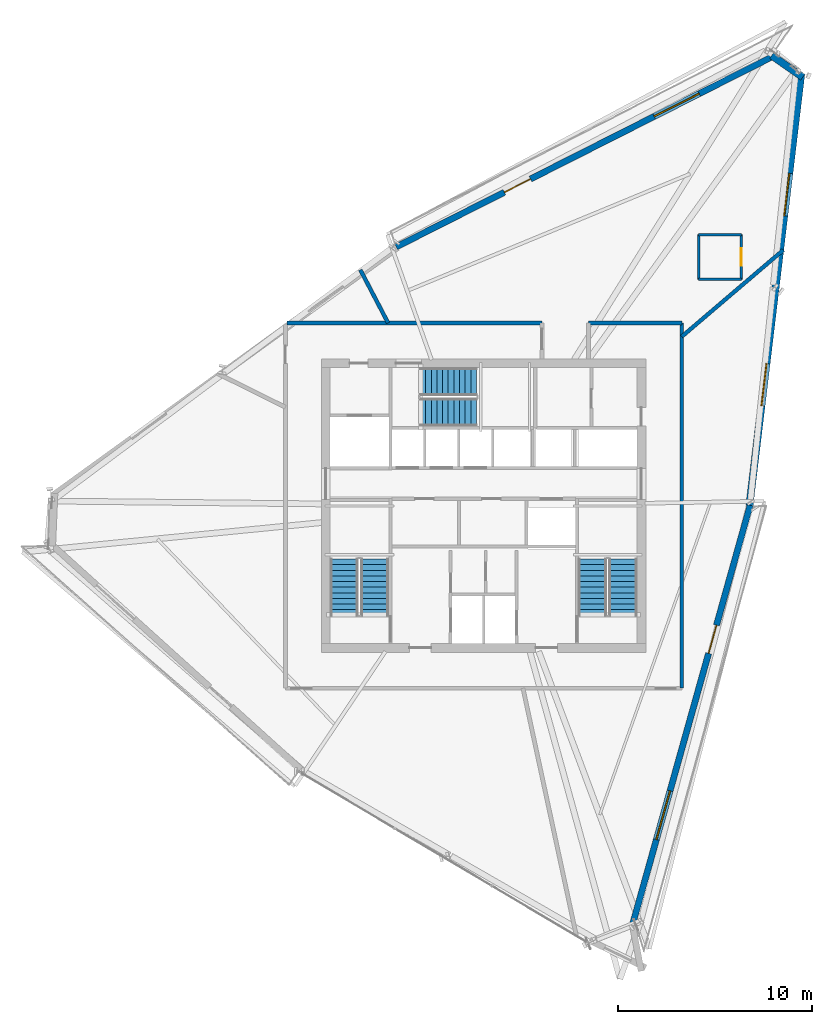
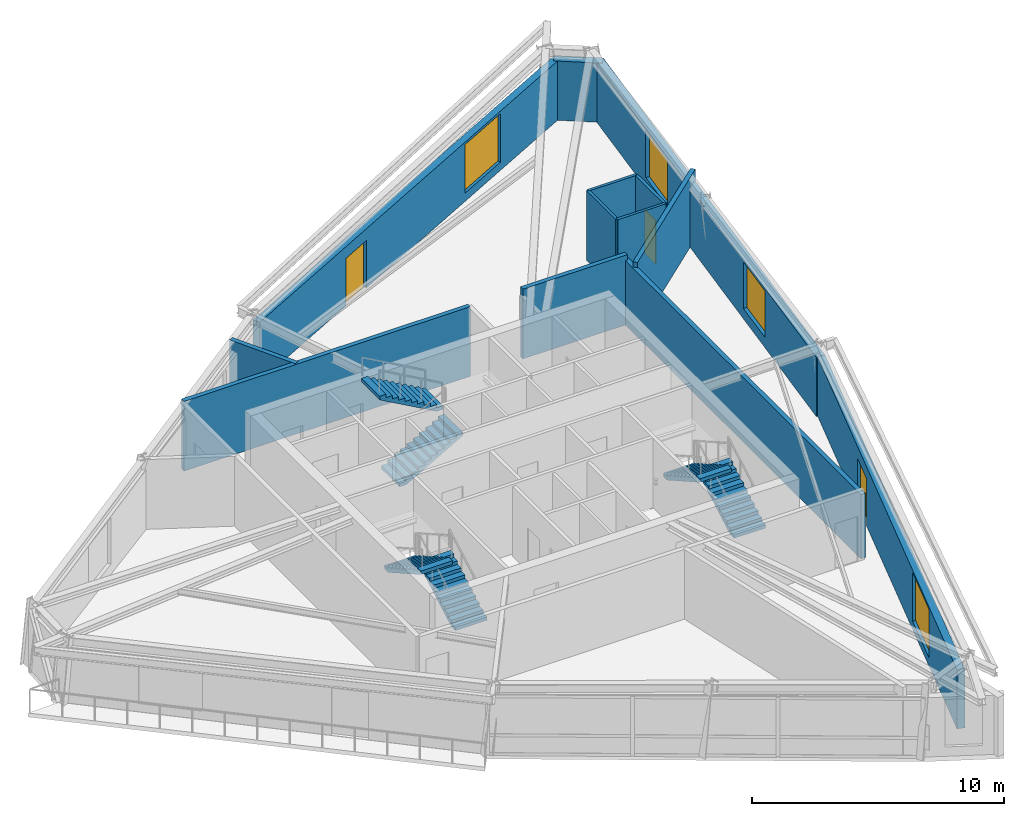
# One storey, part 11 of 14: 13 walls, 6 stair flights, 4 windows, 3 doors, 7 openings, 3 elements without a shape of their own.
"""IFC4 building model written with IfcOpenShell, lengths in metres."""

from ifc_helpers import new_model, si_unit, direction, frame, frame_2d, origin, place, context, subcontext, project, spatial, polyline, rectangle, outline, extrude, source, transform, mapped, material, layer, layer_set, type_object, type_shapes, element, fill, aggregate, save


model = new_model("IFC4")

# Units and contexts
model_context = context("Model", 3, precision=1e-05, world=origin(), true_north=direction((0.0, 1.0)))
body_context = subcontext(model_context, "Body", "Model", "MODEL_VIEW")
ifc_project = project(units=[si_unit("LENGTHUNIT", "METRE"), si_unit("AREAUNIT", "SQUARE_METRE"), si_unit("VOLUMEUNIT", "CUBIC_METRE"), si_unit("PLANEANGLEUNIT", "RADIAN"), si_unit("MASSUNIT", "GRAM", prefix="KILO")], contexts=[model_context])

# Site, building, storey
site_placement = place(None, origin())
site = spatial("IfcSite", under=ifc_project, at=site_placement, CompositionType="ELEMENT")
building_placement = place(site_placement, origin())
building = spatial("IfcBuilding", under=site, at=building_placement, Name="Olszyna Solenne Hotel", CompositionType="ELEMENT")
storey_placement = place(building_placement, frame((0.0, 0.0, 259.699951171875)))
storey = spatial("IfcBuildingStorey", under=building, at=storey_placement, Name="L69", CompositionType="ELEMENT", Elevation=259.699951171875)

# Wall, openings, door, window
ifc_material_1 = material(Name="Precast concrete C45/55", Category="concrete")
ifc_layer_1 = layer(ifc_material_1, 0.320068359375, Name="Precast concrete C45/55")
ifc_layer_set_1 = layer_set([ifc_layer_1], Name="Precast concrete C45/55")
wall_type_1 = type_object("IfcWallType", Name="WL-EX320", PredefinedType="SOLIDWALL", material=ifc_layer_set_1)
wall_1_placement = place(storey_placement, frame((51.72021484375, 26.618408203125, 0.0), z_axis=(0.0, 0.0, 1.0), x_axis=(-0.270053350252, -0.962845360386, 0.0)))
wall_1 = element("IfcWall", 1, at=wall_1_placement, inside=storey, type_object=wall_type_1, Name="Exterior terracotta-precast frame wall WL-EX320 EW-L69-01", PredefinedType="SOLIDWALL", context=body_context, shape_type="SweptSolid", body=[
    extrude(rectangle(XDim=22.390625, YDim=0.320068359375, at=frame_2d((11.1953125, 0.0))), origin(), (0.0, 0.0, 1.0), 2.8720703125),
])
opening_1_placement = place(wall_1_placement, frame((6.4150390625, 0.0, 0.0)))
opening_1 = element("IfcOpeningElement", 2, at=opening_1_placement, cuts=wall_1, Name="Opening LDG-L69-3", PredefinedType="OPENING", context=body_context, shape_type="SweptSolid", body=[
    extrude(rectangle(XDim=1.5, YDim=2.300048828125, at=frame_2d((0.75, 1.14990234375))), frame((0.0, 0.169921875, 0.0), z_axis=(0.0, -1.0, 0.0), x_axis=(1.0, 0.0, 0.0)), (0.0, 0.0, 1.0), 0.340087890625),
])
opening_2_placement = place(wall_1_placement, frame((15.26904296875, 0.0, 0.402099609375)))
opening_2 = element("IfcOpeningElement", 3, at=opening_2_placement, cuts=wall_1, Name="Opening WN-L69-456", PredefinedType="OPENING", context=body_context, shape_type="SweptSolid", body=[
    extrude(rectangle(XDim=2.60009765625, YDim=2.35009765625, at=frame_2d((1.300048828125, 1.175048828125))), frame((0.0, 0.169921875, 0.0), z_axis=(0.0, -1.0, 0.0), x_axis=(1.0, 0.0, 0.0)), (0.0, 0.0, 1.0), 0.340087890625),
])
ifc_material_2 = material(Name="Anodised bronze aluminium", Category="aluminium")
door_type_1 = type_object("IfcDoorType", Name="DR-LG2", OperationType="DOUBLE_DOOR_SINGLE_SWING", PredefinedType="DOOR", material=ifc_material_2)
shared_shape_1 = source(origin(), body_context, "Body", "SweptSolid", [
    extrude(rectangle(XDim=1.5, YDim=2.300048828125, at=frame_2d((0.75, 1.14990234375))), frame((0.0, 0.02490234375, 0.0), z_axis=(0.0, -1.0, 0.0), x_axis=(1.0, 0.0, 0.0)), (0.0, 0.0, 1.0), 0.050048828125),
])
type_shapes(door_type_1, [shared_shape_1])
door_1_placement = place(opening_1_placement, origin())
door_1 = element("IfcDoor", 4, at=door_1_placement, inside=storey, type_object=door_type_1, Name="Exterior loggia balcony door DR-LG2 LDG-L69-3", OperationType="DOUBLE_DOOR_SINGLE_SWING", OverallHeight=2.300048828125, OverallWidth=1.5, PredefinedType="DOOR", context=body_context, shape_type="MappedRepresentation", body=[
    mapped(shared_shape_1, transform((0.0, 0.0, 0.0), x_axis=(1.0, 0.0, 0.0), y_axis=(0.0, 1.0, 0.0), z_axis=(0.0, 0.0, 1.0), scale=1.0)),
])
fill(opening_1, door_1)
ifc_material_3 = material(Name="Low-E triple glazing", Category="glass")
window_type_1 = type_object("IfcWindowType", Name="WN-ST1", PartitioningType="SINGLE_PANEL", PredefinedType="WINDOW", material=ifc_material_3)
shared_shape_2 = source(origin(), body_context, "Body", "SweptSolid", [
    extrude(rectangle(XDim=2.60009765625, YDim=2.35009765625, at=frame_2d((1.300048828125, 1.175048828125))), frame((0.0, 0.030029296875, 0.0), z_axis=(0.0, -1.0, 0.0), x_axis=(1.0, 0.0, 0.0)), (0.0, 0.0, 1.0), 0.06005859375),
])
type_shapes(window_type_1, [shared_shape_2])
window_1_placement = place(opening_2_placement, origin())
window_1 = element("IfcWindow", 5, at=window_1_placement, inside=storey, type_object=window_type_1, Name="Loggia room window WN-ST1 WN-L69-456", OverallHeight=2.35009765625, OverallWidth=2.60009765625, PartitioningType="SINGLE_PANEL", PredefinedType="WINDOW", context=body_context, shape_type="MappedRepresentation", body=[
    mapped(shared_shape_2, transform((0.0, 0.0, 0.0), x_axis=(1.0, 0.0, 0.0), y_axis=(0.0, 1.0, 0.0), z_axis=(0.0, 0.0, 1.0), scale=1.0)),
])
fill(opening_2, window_1)

wall_2_placement = place(storey_placement, frame((33.498046875, 39.912353515625, 0.0), z_axis=(0.0, 0.0, 1.0), x_axis=(0.892343104724, 0.451357711192, 0.0)))
wall_2 = element("IfcWall", 6, at=wall_2_placement, inside=storey, type_object=wall_type_1, Name="Exterior terracotta-precast frame wall WL-EX320 EW-L69-08", PredefinedType="SOLIDWALL", context=body_context, shape_type="SweptSolid", body=[
    extrude(rectangle(XDim=21.866455078125, YDim=0.320068359375, at=frame_2d((10.93310546875, 0.0))), origin(), (0.0, 0.0, 1.0), 2.8720703125),
])
opening_3_placement = place(wall_2_placement, frame((6.2470703125, 0.0, 0.0)))
opening_3 = element("IfcOpeningElement", 7, at=opening_3_placement, cuts=wall_2, Name="Opening LDG-L69-1", PredefinedType="OPENING", context=body_context, shape_type="SweptSolid", body=[
    extrude(rectangle(XDim=1.5, YDim=2.300048828125, at=frame_2d((0.75, 1.14990234375))), frame((0.0, 0.169921875, 0.0), z_axis=(0.0, -1.0, 0.0), x_axis=(1.0, 0.0, 0.0)), (0.0, 0.0, 1.0), 0.340087890625),
])
opening_4_placement = place(wall_2_placement, frame((14.881103515625, 0.0, 0.402099609375)))
opening_4 = element("IfcOpeningElement", 8, at=opening_4_placement, cuts=wall_2, Name="Opening WN-L69-461", PredefinedType="OPENING", context=body_context, shape_type="SweptSolid", body=[
    extrude(rectangle(XDim=2.60009765625, YDim=2.35009765625, at=frame_2d((1.300048828125, 1.175048828125))), frame((0.0, 0.169921875, 0.0), z_axis=(0.0, -1.0, 0.0), x_axis=(1.0, 0.0, 0.0)), (0.0, 0.0, 1.0), 0.340087890625),
])
door_2_placement = place(opening_3_placement, origin())
door_2 = element("IfcDoor", 9, at=door_2_placement, inside=storey, type_object=door_type_1, Name="Exterior loggia balcony door DR-LG2 LDG-L69-1", OperationType="DOUBLE_DOOR_SINGLE_SWING", OverallHeight=2.300048828125, OverallWidth=1.5, PredefinedType="DOOR", context=body_context, shape_type="MappedRepresentation", body=[
    mapped(shared_shape_1, transform((0.0, 0.0, 0.0), x_axis=(1.0, 0.0, 0.0), y_axis=(0.0, 1.0, 0.0), z_axis=(0.0, 0.0, 1.0), scale=1.0)),
])
fill(opening_3, door_2)
window_2_placement = place(opening_4_placement, origin())
window_2 = element("IfcWindow", 10, at=window_2_placement, inside=storey, type_object=window_type_1, Name="Loggia room window WN-ST1 WN-L69-461", OverallHeight=2.35009765625, OverallWidth=2.60009765625, PartitioningType="SINGLE_PANEL", PredefinedType="WINDOW", context=body_context, shape_type="MappedRepresentation", body=[
    mapped(shared_shape_2, transform((0.0, 0.0, 0.0), x_axis=(1.0, 0.0, 0.0), y_axis=(0.0, 1.0, 0.0), z_axis=(0.0, 0.0, 1.0), scale=1.0)),
])
fill(opening_4, window_2)

# Wall
ifc_material_4 = material(Name="Terracotta cladding on precast concrete C45/55", Category="masonry")
ifc_layer_2 = layer(ifc_material_4, 0.3798828125, Name="Terracotta cladding on precast concrete C45/55")
ifc_layer_set_2 = layer_set([ifc_layer_2], Name="Terracotta cladding on precast concrete C45/55")
wall_type_2 = type_object("IfcWallType", Name="WL-EX380", PredefinedType="SOLIDWALL", material=ifc_layer_set_2)
wall_3_placement = place(storey_placement, frame((52.82958984375, 49.769287109375, 0.0), z_axis=(0.0, 0.0, 1.0), x_axis=(0.819631236398, -0.572891469932, 0.0)))
element("IfcWall", 11, at=wall_3_placement, inside=storey, type_object=wall_type_2, Name="Exterior terracotta-precast frame wall WL-EX380 EW-L69-09", PredefinedType="SOLIDWALL", context=body_context, shape_type="SweptSolid", body=[
    extrude(rectangle(XDim=1.9521484375, YDim=0.3798828125, at=frame_2d((0.97607421875, 0.0))), origin(), (0.0, 0.0, 1.0), 2.8720703125),
])

# Wall, openings, windows
wall_4_placement = place(storey_placement, frame((54.349853515625, 48.8291015625, 0.0), z_axis=(0.0, 0.0, 1.0), x_axis=(-0.118981834581, -0.992896431175, 0.0)))
wall_4 = element("IfcWall", 12, at=wall_4_placement, inside=storey, type_object=wall_type_2, Name="Exterior terracotta-precast frame wall WL-EX380 EW-L69-10", PredefinedType="SOLIDWALL", context=body_context, shape_type="SweptSolid", body=[
    extrude(rectangle(XDim=22.390380859375, YDim=0.3798828125, at=frame_2d((11.1953125, 0.0))), origin(), (0.0, 0.0, 1.0), 2.8720703125),
])
opening_5_placement = place(wall_4_placement, frame((5.1689453125, 0.0, 0.501953125)))
opening_5 = element("IfcOpeningElement", 13, at=opening_5_placement, cuts=wall_4, Name="Opening WN-L69-462", PredefinedType="OPENING", context=body_context, shape_type="SweptSolid", body=[
    extrude(rectangle(XDim=2.199951171875, YDim=2.25, at=frame_2d((1.10009765625, 1.125))), frame((0.0, 0.199951171875, 0.0), z_axis=(0.0, -1.0, 0.0), x_axis=(1.0, 0.0, 0.0)), (0.0, 0.0, 1.0), 0.39990234375),
])
opening_6_placement = place(wall_4_placement, frame((15.02099609375, 0.0, 0.501953125)))
opening_6 = element("IfcOpeningElement", 14, at=opening_6_placement, cuts=wall_4, Name="Opening WN-L69-463", PredefinedType="OPENING", context=body_context, shape_type="SweptSolid", body=[
    extrude(rectangle(XDim=2.199951171875, YDim=2.25, at=frame_2d((1.10009765625, 1.125))), frame((0.0, 0.199951171875, 0.0), z_axis=(0.0, -1.0, 0.0), x_axis=(1.0, 0.0, 0.0)), (0.0, 0.0, 1.0), 0.39990234375),
])
window_type_2 = type_object("IfcWindowType", Name="WN-HT2", PartitioningType="SINGLE_PANEL", PredefinedType="WINDOW", material=ifc_material_3)
shared_shape_3 = source(origin(), body_context, "Body", "SweptSolid", [
    extrude(rectangle(XDim=2.199951171875, YDim=2.25, at=frame_2d((1.10009765625, 1.125))), frame((0.0, 0.030029296875, 0.0), z_axis=(0.0, -1.0, 0.0), x_axis=(1.0, 0.0, 0.0)), (0.0, 0.0, 1.0), 0.06005859375),
])
type_shapes(window_type_2, [shared_shape_3])
window_3_placement = place(opening_5_placement, origin())
window_3 = element("IfcWindow", 15, at=window_3_placement, inside=storey, type_object=window_type_2, Name="Exterior facade window WN-HT2 WN-L69-462", OverallHeight=2.25, OverallWidth=2.199951171875, PartitioningType="SINGLE_PANEL", PredefinedType="WINDOW", context=body_context, shape_type="MappedRepresentation", body=[
    mapped(shared_shape_3, transform((0.0, 0.0, 0.0), x_axis=(1.0, 0.0, 0.0), y_axis=(0.0, 1.0, 0.0), z_axis=(0.0, 0.0, 1.0), scale=1.0)),
])
fill(opening_5, window_3)
window_4_placement = place(opening_6_placement, origin())
window_4 = element("IfcWindow", 16, at=window_4_placement, inside=storey, type_object=window_type_2, Name="Exterior facade window WN-HT2 WN-L69-463", OverallHeight=2.25, OverallWidth=2.199951171875, PartitioningType="SINGLE_PANEL", PredefinedType="WINDOW", context=body_context, shape_type="MappedRepresentation", body=[
    mapped(shared_shape_3, transform((0.0, 0.0, 0.0), x_axis=(1.0, 0.0, 0.0), y_axis=(0.0, 1.0, 0.0), z_axis=(0.0, 0.0, 1.0), scale=1.0)),
])
fill(opening_6, window_4)

# Wall, opening, door
ifc_material_5 = material(Name="Acoustic gypsum partition", Category="gypsum")
ifc_layer_3 = layer(ifc_material_5, 0.125, Name="Acoustic gypsum partition")
ifc_layer_set_3 = layer_set([ifc_layer_3], Name="Acoustic gypsum partition")
wall_type_3 = type_object("IfcWallType", Name="WL-PT125", PredefinedType="PARTITIONING", material=ifc_layer_set_3)
wall_5_placement = place(storey_placement, frame((51.26708984375, 38.242919921875, 0.0), z_axis=(0.0, 0.0, 1.0), x_axis=(0.0, 1.0, 0.0)))
wall_5 = element("IfcWall", 17, at=wall_5_placement, inside=storey, type_object=wall_type_3, Name="Interior acoustic partition WL-PT125 PW-L69-3834", PredefinedType="PARTITIONING", context=body_context, shape_type="SweptSolid", body=[
    extrude(rectangle(XDim=2.300048828125, YDim=0.125, at=frame_2d((1.14990234375, 0.0))), origin(), (0.0, 0.0, 1.0), 3.380126953125),
])
opening_7_placement = place(wall_5_placement, frame((0.699951171875, 0.0, 0.0)))
opening_7 = element("IfcOpeningElement", 18, at=opening_7_placement, cuts=wall_5, Name="Opening DR-L69-0933", PredefinedType="OPENING", context=body_context, shape_type="SweptSolid", body=[
    extrude(rectangle(XDim=0.89990234375, YDim=2.10009765625, at=frame_2d((0.449951171875, 1.050048828125))), frame((0.0, 0.072509765625, 0.0), z_axis=(0.0, -1.0, 0.0), x_axis=(1.0, 0.0, 0.0)), (0.0, 0.0, 1.0), 0.14501953125),
])
ifc_material_6 = material(Name="Timber hardwood", Category="wood")
door_type_2 = type_object("IfcDoorType", Name="DR-WC1", OperationType="NOTDEFINED", PredefinedType="DOOR", material=ifc_material_6)
shared_shape_4 = source(origin(), body_context, "Body", "SweptSolid", [
    extrude(rectangle(XDim=0.89990234375, YDim=2.10009765625, at=frame_2d((0.449951171875, 1.050048828125))), frame((0.0, 0.02490234375, 0.0), z_axis=(0.0, -1.0, 0.0), x_axis=(1.0, 0.0, 0.0)), (0.0, 0.0, 1.0), 0.050048828125),
])
type_shapes(door_type_2, [shared_shape_4])
door_3_placement = place(opening_7_placement, origin())
door_3 = element("IfcDoor", 19, at=door_3_placement, inside=storey, type_object=door_type_2, Name="En-Suite Bathroom Door DR-L69-0933", OperationType="SINGLE_SWING_RIGHT", OverallHeight=2.10009765625, OverallWidth=0.89990234375, PredefinedType="DOOR", context=body_context, shape_type="MappedRepresentation", body=[
    mapped(shared_shape_4, transform((0.0, 0.0, 0.0), x_axis=(1.0, 0.0, 0.0), y_axis=(0.0, 1.0, 0.0), z_axis=(0.0, 0.0, 1.0), scale=1.0)),
])
fill(opening_7, door_3)

# Walls
wall_6_placement = place(storey_placement, frame((51.26708984375, 40.54296875, 0.0), z_axis=(0.0, 0.0, 1.0), x_axis=(-1.0, 0.0, 0.0)))
element("IfcWall", 20, at=wall_6_placement, inside=storey, type_object=wall_type_3, Name="Interior acoustic partition WL-PT125 PW-L69-3835", PredefinedType="PARTITIONING", context=body_context, shape_type="SweptSolid", body=[
    extrude(rectangle(XDim=2.2001953125, YDim=0.125, at=frame_2d((1.10009765625, 0.0))), origin(), (0.0, 0.0, 1.0), 3.380126953125),
])
wall_7_placement = place(storey_placement, frame((49.06689453125, 40.54296875, 0.0), z_axis=(0.0, 0.0, 1.0), x_axis=(0.0, -1.0, 0.0)))
element("IfcWall", 21, at=wall_7_placement, inside=storey, type_object=wall_type_3, Name="Interior acoustic partition WL-PT125 PW-L69-3836", PredefinedType="PARTITIONING", context=body_context, shape_type="SweptSolid", body=[
    extrude(rectangle(XDim=2.300048828125, YDim=0.125, at=frame_2d((1.14990234375, 0.0))), origin(), (0.0, 0.0, 1.0), 3.380126953125),
])
wall_8_placement = place(storey_placement, frame((49.06689453125, 38.242919921875, 0.0), z_axis=(0.0, 0.0, 1.0), x_axis=(1.0, 0.0, 0.0)))
element("IfcWall", 22, at=wall_8_placement, inside=storey, type_object=wall_type_3, Name="Interior acoustic partition WL-PT125 PW-L69-3837", PredefinedType="PARTITIONING", context=body_context, shape_type="SweptSolid", body=[
    extrude(rectangle(XDim=2.2001953125, YDim=0.125, at=frame_2d((1.10009765625, 0.0))), origin(), (0.0, 0.0, 1.0), 3.380126953125),
])
ifc_layer_4 = layer(ifc_material_5, 0.199951171875, Name="Acoustic gypsum partition")
ifc_layer_set_4 = layer_set([ifc_layer_4], Name="Acoustic gypsum partition")
wall_type_4 = type_object("IfcWallType", Name="WL-PT200", PredefinedType="PARTITIONING", material=ifc_layer_set_4)
wall_9_placement = place(storey_placement, frame((48.199951171875, 35.29833984375, 0.0), z_axis=(0.0, 0.0, 1.0), x_axis=(0.760880946489, 0.648891505007, 0.0)))
element("IfcWall", 23, at=wall_9_placement, inside=storey, type_object=wall_type_4, Name="Interior acoustic partition WL-PT200 PW-L69-3832", PredefinedType="PARTITIONING", context=body_context, shape_type="SweptSolid", body=[
    extrude(rectangle(XDim=6.864990234375, YDim=0.199951171875, at=frame_2d((3.4326171875, 0.0))), origin(), (0.0, 0.0, 1.0), 3.380126953125),
])
wall_10_placement = place(storey_placement, frame((33.085693359375, 36.0, 0.0), z_axis=(0.0, 0.0, 1.0), x_axis=(-0.463265496448, 0.886219543793, 0.0)))
element("IfcWall", 24, at=wall_10_placement, inside=storey, type_object=wall_type_4, Name="Interior acoustic partition WL-PT200 PW-L69-3833", PredefinedType="PARTITIONING", context=body_context, shape_type="SweptSolid", body=[
    extrude(rectangle(XDim=3.088623046875, YDim=0.199951171875, at=frame_2d((1.54443359375, 0.0))), origin(), (0.0, 0.0, 1.0), 3.380126953125),
])
wall_11_placement = place(storey_placement, frame((27.8701171875, 36.0, 0.0), z_axis=(0.0, 0.0, 1.0), x_axis=(1.0, 0.0, 0.0)))
element("IfcWall", 25, at=wall_11_placement, inside=storey, type_object=wall_type_4, Name="Interior acoustic partition WL-PT200 PW-L69-3840", PredefinedType="PARTITIONING", context=body_context, shape_type="SweptSolid", body=[
    extrude(rectangle(XDim=13.1298828125, YDim=0.199951171875, at=frame_2d((6.56494140625, 0.0))), origin(), (0.0, 0.0, 1.0), 3.380126953125),
])
wall_12_placement = place(storey_placement, frame((43.39990234375, 36.0, 0.0), z_axis=(0.0, 0.0, 1.0), x_axis=(1.0, 0.0, 0.0)))
element("IfcWall", 26, at=wall_12_placement, inside=storey, type_object=wall_type_4, Name="Interior acoustic partition WL-PT200 PW-L69-3842", PredefinedType="PARTITIONING", context=body_context, shape_type="SweptSolid", body=[
    extrude(rectangle(XDim=4.800048828125, YDim=0.199951171875, at=frame_2d((2.39990234375, 0.0))), origin(), (0.0, 0.0, 1.0), 3.380126953125),
])
wall_13_placement = place(storey_placement, frame((48.199951171875, 17.199951171875, 0.0), z_axis=(0.0, 0.0, 1.0), x_axis=(0.0, 1.0, 0.0)))
element("IfcWall", 27, at=wall_13_placement, inside=storey, type_object=wall_type_4, Name="Interior acoustic partition WL-PT200 PW-L69-3844", PredefinedType="PARTITIONING", context=body_context, shape_type="SweptSolid", body=[
    extrude(rectangle(XDim=18.800048828125, YDim=0.199951171875, at=frame_2d((9.39990234375, 0.0))), origin(), (0.0, 0.0, 1.0), 3.125),
])

# Stair, stair flights
ifc_material_7 = material(Name="Concrete C40/50", Category="concrete")
stair_type = type_object("IfcStairType", Name="STR-C1", PredefinedType="TWO_QUARTER_WINDING_STAIR", material=ifc_material_7)
stair_1_placement = place(storey_placement, origin())
stair_1 = element("IfcStair", 28, at=stair_1_placement, inside=storey, type_object=stair_type, Name="L69 ST1", PredefinedType="TWO_QUARTER_WINDING_STAIR")
stair_flight_type = type_object("IfcStairFlightType", Name="FLT-C1", PredefinedType="STRAIGHT", material=ifc_material_7)
stair_flight_1_placement = place(storey_placement, frame((32.39501953125, 20.949951171875, 0.0), z_axis=(0.0, 0.0, 1.0), x_axis=(0.0, 1.0, 0.0)))
stair_flight_1 = element("IfcStairFlight", 29, at=stair_flight_1_placement, type_object=stair_flight_type, Name="ST1 flight 1", NumberOfRisers=11, NumberOfTreads=10, PredefinedType="STRAIGHT", RiserHeight=0.163636364, TreadLength=0.29, context=body_context, shape_type="SweptSolid", body=[
    extrude(outline(polyline([(0.0, 0.0), (0.0, 0.16357421875), (0.2900390625, 0.16357421875), (0.2900390625, 0.327392578125), (0.580078125, 0.327392578125), (0.580078125, 0.490966796875), (0.8701171875, 0.490966796875), (0.8701171875, 0.654541015625), (1.159912109375, 0.654541015625), (1.159912109375, 0.818115234375), (1.449951171875, 0.818115234375), (1.449951171875, 0.98193359375), (1.739990234375, 0.98193359375), (1.739990234375, 1.1455078125), (2.030029296875, 1.1455078125), (2.030029296875, 1.30908203125), (2.320068359375, 1.30908203125), (2.320068359375, 1.47265625), (2.610107421875, 1.47265625), (2.610107421875, 1.636474609375), (2.89990234375, 1.636474609375), (2.89990234375, 1.800048828125), (2.89990234375, 1.46435546875), (0.304931640625, 0.0), (0.0, 0.0)])), frame((0.0, 0.72509765625, 0.0), z_axis=(0.0, -1.0, 0.0), x_axis=(1.0, 0.0, 0.0)), (0.0, 0.0, 1.0), 1.449951171875),
])
stair_flight_2_placement = place(storey_placement, frame((30.824951171875, 23.85009765625, 1.800048828125), z_axis=(0.0, 0.0, 1.0), x_axis=(0.0, -1.0, 0.0)))
stair_flight_2 = element("IfcStairFlight", 30, at=stair_flight_2_placement, type_object=stair_flight_type, Name="ST1 flight 2", NumberOfRisers=11, NumberOfTreads=10, PredefinedType="STRAIGHT", RiserHeight=0.163636364, TreadLength=0.29, context=body_context, shape_type="SweptSolid", body=[
    extrude(outline(polyline([(0.0, 0.0), (0.0, 0.16357421875), (0.2900390625, 0.16357421875), (0.2900390625, 0.327392578125), (0.580078125, 0.327392578125), (0.580078125, 0.490966796875), (0.8701171875, 0.490966796875), (0.8701171875, 0.654541015625), (1.159912109375, 0.654541015625), (1.159912109375, 0.818115234375), (1.449951171875, 0.818115234375), (1.449951171875, 0.98193359375), (1.739990234375, 0.98193359375), (1.739990234375, 1.1455078125), (2.030029296875, 1.1455078125), (2.030029296875, 1.30908203125), (2.320068359375, 1.30908203125), (2.320068359375, 1.47265625), (2.610107421875, 1.47265625), (2.610107421875, 1.636474609375), (2.89990234375, 1.636474609375), (2.89990234375, 1.800048828125), (2.89990234375, 1.46435546875), (0.304931640625, 0.0), (0.0, 0.0)])), frame((0.0, 0.72509765625, 0.0), z_axis=(0.0, -1.0, 0.0), x_axis=(1.0, 0.0, 0.0)), (0.0, 0.0, 1.0), 1.449951171875),
])
aggregate(stair_1, [stair_flight_1, stair_flight_2])

stair_2_placement = place(storey_placement, origin())
stair_2 = element("IfcStair", 31, at=stair_2_placement, inside=storey, type_object=stair_type, Name="L69 ST2", PredefinedType="TWO_QUARTER_WINDING_STAIR")
stair_flight_3_placement = place(storey_placement, frame((45.175048828125, 20.949951171875, 0.0), z_axis=(0.0, 0.0, 1.0), x_axis=(0.0, 1.0, 0.0)))
stair_flight_3 = element("IfcStairFlight", 32, at=stair_flight_3_placement, type_object=stair_flight_type, Name="ST2 flight 1", NumberOfRisers=11, NumberOfTreads=10, PredefinedType="STRAIGHT", RiserHeight=0.163636364, TreadLength=0.29, context=body_context, shape_type="SweptSolid", body=[
    extrude(outline(polyline([(0.0, 0.0), (0.0, 0.16357421875), (0.2900390625, 0.16357421875), (0.2900390625, 0.327392578125), (0.580078125, 0.327392578125), (0.580078125, 0.490966796875), (0.8701171875, 0.490966796875), (0.8701171875, 0.654541015625), (1.159912109375, 0.654541015625), (1.159912109375, 0.818115234375), (1.449951171875, 0.818115234375), (1.449951171875, 0.98193359375), (1.739990234375, 0.98193359375), (1.739990234375, 1.1455078125), (2.030029296875, 1.1455078125), (2.030029296875, 1.30908203125), (2.320068359375, 1.30908203125), (2.320068359375, 1.47265625), (2.610107421875, 1.47265625), (2.610107421875, 1.636474609375), (2.89990234375, 1.636474609375), (2.89990234375, 1.800048828125), (2.89990234375, 1.46435546875), (0.304931640625, 0.0), (0.0, 0.0)])), frame((0.0, 0.72509765625, 0.0), z_axis=(0.0, -1.0, 0.0), x_axis=(1.0, 0.0, 0.0)), (0.0, 0.0, 1.0), 1.449951171875),
])
stair_flight_4_placement = place(storey_placement, frame((43.60498046875, 23.85009765625, 1.800048828125), z_axis=(0.0, 0.0, 1.0), x_axis=(0.0, -1.0, 0.0)))
stair_flight_4 = element("IfcStairFlight", 33, at=stair_flight_4_placement, type_object=stair_flight_type, Name="ST2 flight 2", NumberOfRisers=11, NumberOfTreads=10, PredefinedType="STRAIGHT", RiserHeight=0.163636364, TreadLength=0.29, context=body_context, shape_type="SweptSolid", body=[
    extrude(outline(polyline([(0.0, 0.0), (0.0, 0.16357421875), (0.2900390625, 0.16357421875), (0.2900390625, 0.327392578125), (0.580078125, 0.327392578125), (0.580078125, 0.490966796875), (0.8701171875, 0.490966796875), (0.8701171875, 0.654541015625), (1.159912109375, 0.654541015625), (1.159912109375, 0.818115234375), (1.449951171875, 0.818115234375), (1.449951171875, 0.98193359375), (1.739990234375, 0.98193359375), (1.739990234375, 1.1455078125), (2.030029296875, 1.1455078125), (2.030029296875, 1.30908203125), (2.320068359375, 1.30908203125), (2.320068359375, 1.47265625), (2.610107421875, 1.47265625), (2.610107421875, 1.636474609375), (2.89990234375, 1.636474609375), (2.89990234375, 1.800048828125), (2.89990234375, 1.46435546875), (0.304931640625, 0.0), (0.0, 0.0)])), frame((0.0, 0.72509765625, 0.0), z_axis=(0.0, -1.0, 0.0), x_axis=(1.0, 0.0, 0.0)), (0.0, 0.0, 1.0), 1.449951171875),
])
aggregate(stair_2, [stair_flight_3, stair_flight_4])

stair_3_placement = place(storey_placement, origin())
stair_3 = element("IfcStair", 34, at=stair_3_placement, inside=storey, type_object=stair_type, Name="L69 ST3", PredefinedType="TWO_QUARTER_WINDING_STAIR")
stair_flight_5_placement = place(storey_placement, frame((34.72998046875, 31.405029296875, 0.0), z_axis=(0.0, 0.0, 1.0), x_axis=(1.0, 0.0, 0.0)))
stair_flight_5 = element("IfcStairFlight", 35, at=stair_flight_5_placement, type_object=stair_flight_type, Name="ST3 flight 1", NumberOfRisers=11, NumberOfTreads=10, PredefinedType="STRAIGHT", RiserHeight=0.163636364, TreadLength=0.29, context=body_context, shape_type="SweptSolid", body=[
    extrude(outline(polyline([(0.0, 0.0), (0.0, 0.16357421875), (0.2900390625, 0.16357421875), (0.2900390625, 0.327392578125), (0.580078125, 0.327392578125), (0.580078125, 0.490966796875), (0.8701171875, 0.490966796875), (0.8701171875, 0.654541015625), (1.159912109375, 0.654541015625), (1.159912109375, 0.818115234375), (1.449951171875, 0.818115234375), (1.449951171875, 0.98193359375), (1.739990234375, 0.98193359375), (1.739990234375, 1.1455078125), (2.030029296875, 1.1455078125), (2.030029296875, 1.30908203125), (2.320068359375, 1.30908203125), (2.320068359375, 1.47265625), (2.610107421875, 1.47265625), (2.610107421875, 1.636474609375), (2.89990234375, 1.636474609375), (2.89990234375, 1.800048828125), (2.89990234375, 1.46435546875), (0.304931640625, 0.0), (0.0, 0.0)])), frame((0.0, 0.72509765625, 0.0), z_axis=(0.0, -1.0, 0.0), x_axis=(1.0, 0.0, 0.0)), (0.0, 0.0, 1.0), 1.449951171875),
])
stair_flight_6_placement = place(storey_placement, frame((37.6298828125, 32.97509765625, 1.800048828125), z_axis=(0.0, 0.0, 1.0), x_axis=(-1.0, 0.0, 0.0)))
stair_flight_6 = element("IfcStairFlight", 36, at=stair_flight_6_placement, type_object=stair_flight_type, Name="ST3 flight 2", NumberOfRisers=11, NumberOfTreads=10, PredefinedType="STRAIGHT", RiserHeight=0.163636364, TreadLength=0.29, context=body_context, shape_type="SweptSolid", body=[
    extrude(outline(polyline([(0.0, 0.0), (0.0, 0.16357421875), (0.2900390625, 0.16357421875), (0.2900390625, 0.327392578125), (0.580078125, 0.327392578125), (0.580078125, 0.490966796875), (0.8701171875, 0.490966796875), (0.8701171875, 0.654541015625), (1.159912109375, 0.654541015625), (1.159912109375, 0.818115234375), (1.449951171875, 0.818115234375), (1.449951171875, 0.98193359375), (1.739990234375, 0.98193359375), (1.739990234375, 1.1455078125), (2.030029296875, 1.1455078125), (2.030029296875, 1.30908203125), (2.320068359375, 1.30908203125), (2.320068359375, 1.47265625), (2.610107421875, 1.47265625), (2.610107421875, 1.636474609375), (2.89990234375, 1.636474609375), (2.89990234375, 1.800048828125), (2.89990234375, 1.46435546875), (0.304931640625, 0.0), (0.0, 0.0)])), frame((0.0, 0.72509765625, 0.0), z_axis=(0.0, -1.0, 0.0), x_axis=(1.0, 0.0, 0.0)), (0.0, 0.0, 1.0), 1.449951171875),
])
aggregate(stair_3, [stair_flight_5, stair_flight_6])

save(model, "model.ifc")
